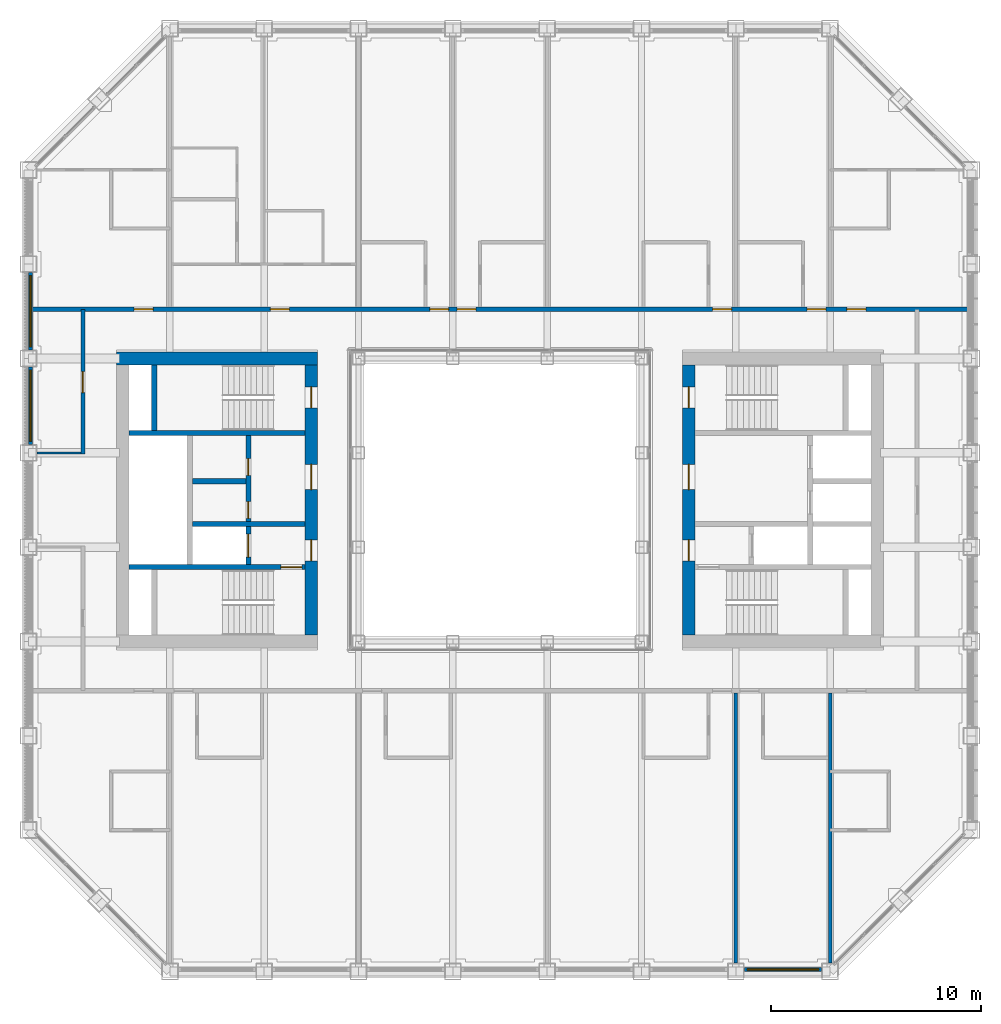
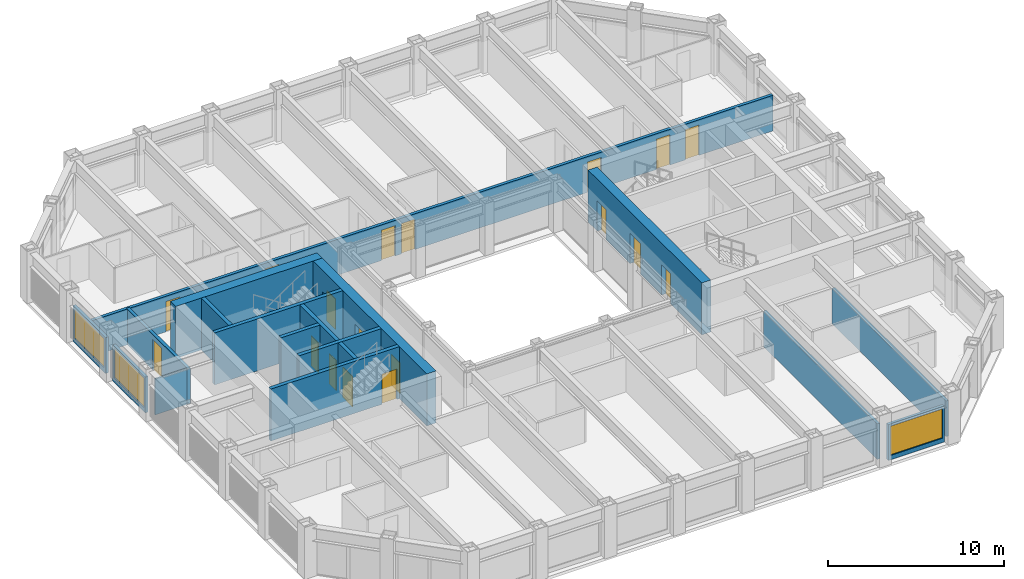
# One storey, part 11 of 17: 18 doors, 17 walls, 3 windows, 21 openings.
"""IFC4 building model written with IfcOpenShell, lengths in metres."""

from ifc_helpers import new_model, si_unit, direction, frame, frame_2d, origin, place, context, subcontext, project, spatial, rectangle, extrude, material, layer, layer_set, type_object, element, fill, save


model = new_model("IFC4")

# Units and contexts
model_context = context("Model", 3, precision=1e-05, world=origin(), true_north=direction((0.0, 1.0)))
body_context = subcontext(model_context, "Body", "Model", "MODEL_VIEW")
ifc_project = project(units=[si_unit("LENGTHUNIT", "METRE"), si_unit("AREAUNIT", "SQUARE_METRE"), si_unit("VOLUMEUNIT", "CUBIC_METRE"), si_unit("PLANEANGLEUNIT", "RADIAN"), si_unit("MASSUNIT", "GRAM", prefix="KILO")], contexts=[model_context])

# Site, building, storey
site_placement = place(None, origin())
site = spatial("IfcSite", under=ifc_project, at=site_placement, CompositionType="ELEMENT")
building_placement = place(site_placement, origin())
building = spatial("IfcBuilding", under=site, at=building_placement, Name="Msasa Ring Tower", CompositionType="ELEMENT")
storey_placement = place(building_placement, frame((0.0, 0.0, 179.60009765625)))
storey = spatial("IfcBuildingStorey", under=building, at=storey_placement, Name="L47", CompositionType="ELEMENT", Elevation=179.60009765625)

# Wall, openings, doors
ifc_material_1 = material(Name="Concrete C60/75", Category="concrete")
ifc_layer_1 = layer(ifc_material_1, 0.60009765625)
ifc_layer_set_1 = layer_set([ifc_layer_1], Name="CW2 CORE WALL 600")
wall_type_1 = type_object("IfcWallType", Name="CW2 CORE WALL 600", PredefinedType="SHEAR", material=ifc_layer_set_1)
wall_1_placement = place(storey_placement, frame((9.0, -6.449951171875, 0.0), z_axis=(0.0, 0.0, 1.0), x_axis=(0.0, 1.0, 0.0)))
wall_1 = element("IfcWall", 1, at=wall_1_placement, inside=storey, type_object=wall_type_1, Name="E core wall W L47", PredefinedType="SHEAR", context=body_context, shape_type="SweptSolid", body=[
    extrude(rectangle(XDim=12.89990234375, YDim=0.60009765625, at=frame_2d((6.449951171875, 0.0))), origin(), (0.0, 0.0, 1.0), 3.599853515625),
])
opening_1_placement = place(wall_1_placement, frame((3.550048828125, 0.0, 0.0)))
opening_1 = element("IfcOpeningElement", 2, at=opening_1_placement, cuts=wall_1, Name="Opening HF-030", PredefinedType="OPENING", context=body_context, shape_type="SweptSolid", body=[
    extrude(rectangle(XDim=1.0, YDim=2.10009765625, at=frame_2d((0.5, 1.050048828125))), frame((0.0, 0.31005859375, 0.0), z_axis=(0.0, -1.0, 0.0), x_axis=(1.0, 0.0, 0.0)), (0.0, 0.0, 1.0), 0.6201171875),
])
opening_2_placement = place(wall_1_placement, frame((6.949951171875, 0.0, 0.0)))
opening_2 = element("IfcOpeningElement", 3, at=opening_2_placement, cuts=wall_1, Name="Opening HF-026", PredefinedType="OPENING", context=body_context, shape_type="SweptSolid", body=[
    extrude(rectangle(XDim=1.199951171875, YDim=2.10009765625, at=frame_2d((0.60009765625, 1.050048828125))), frame((0.0, 0.31005859375, 0.0), z_axis=(0.0, -1.0, 0.0), x_axis=(1.0, 0.0, 0.0)), (0.0, 0.0, 1.0), 0.6201171875),
])
opening_3_placement = place(wall_1_placement, frame((10.85009765625, 0.0, 0.0)))
opening_3 = element("IfcOpeningElement", 4, at=opening_3_placement, cuts=wall_1, Name="Opening HF-023", PredefinedType="OPENING", context=body_context, shape_type="SweptSolid", body=[
    extrude(rectangle(XDim=1.0, YDim=2.10009765625, at=frame_2d((0.5, 1.050048828125))), frame((0.0, 0.31005859375, 0.0), z_axis=(0.0, -1.0, 0.0), x_axis=(1.0, 0.0, 0.0)), (0.0, 0.0, 1.0), 0.6201171875),
])
ifc_material_2 = material(Name="Timber door leaf in a steel frame", Category="steel")
door_type_1 = type_object("IfcDoorType", Name="D4 LOBBY DOOR 1000x2100", OperationType="SINGLE_SWING_LEFT", PredefinedType="DOOR", material=ifc_material_2)
door_1_placement = place(opening_1_placement, origin())
door_1 = element("IfcDoor", 5, at=door_1_placement, inside=storey, type_object=door_type_1, Name="Door L47-EFFL", OperationType="SINGLE_SWING_LEFT", OverallHeight=2.10009765625, OverallWidth=1.0, PredefinedType="DOOR", context=body_context, shape_type="SweptSolid", body=[
    extrude(rectangle(XDim=1.0, YDim=2.10009765625, at=frame_2d((0.5, 1.050048828125))), frame((0.0, 0.02490234375, 0.0), z_axis=(0.0, -1.0, 0.0), x_axis=(1.0, 0.0, 0.0)), (0.0, 0.0, 1.0), 0.050048828125),
])
fill(opening_1, door_1)
ifc_material_3 = material(Name="Timber door leaf in a steel frame", Category="steel")
door_type_2 = type_object("IfcDoorType", Name="D5 WIDE LOBBY DOOR 1200x2100", OperationType="SINGLE_SWING_LEFT", PredefinedType="DOOR", material=ifc_material_3)
door_2_placement = place(opening_2_placement, origin())
door_2 = element("IfcDoor", 6, at=door_2_placement, inside=storey, type_object=door_type_2, Name="Door L47-ELL", OperationType="SINGLE_SWING_RIGHT", OverallHeight=2.10009765625, OverallWidth=1.199951171875, PredefinedType="DOOR", context=body_context, shape_type="SweptSolid", body=[
    extrude(rectangle(XDim=1.199951171875, YDim=2.10009765625, at=frame_2d((0.60009765625, 1.050048828125))), frame((0.0, 0.02490234375, 0.0), z_axis=(0.0, -1.0, 0.0), x_axis=(1.0, 0.0, 0.0)), (0.0, 0.0, 1.0), 0.050048828125),
])
fill(opening_2, door_2)
ifc_material_4 = material(Name="Timber door leaf in a steel frame", Category="steel")
door_type_3 = type_object("IfcDoorType", Name="D6 STAIR DOOR 1000x2100", OperationType="SINGLE_SWING_LEFT", PredefinedType="DOOR", material=ifc_material_4)
door_3_placement = place(opening_3_placement, origin())
door_3 = element("IfcDoor", 7, at=door_3_placement, inside=storey, type_object=door_type_3, Name="Door L47-ESTB", OperationType="SINGLE_SWING_RIGHT", OverallHeight=2.10009765625, OverallWidth=1.0, PredefinedType="DOOR", context=body_context, shape_type="SweptSolid", body=[
    extrude(rectangle(XDim=1.0, YDim=2.10009765625, at=frame_2d((0.5, 1.050048828125))), frame((0.0, 0.02490234375, 0.0), z_axis=(0.0, -1.0, 0.0), x_axis=(1.0, 0.0, 0.0)), (0.0, 0.0, 1.0), 0.050048828125),
])
fill(opening_3, door_3)

# Wall
wall_2_placement = place(storey_placement, frame((-8.699951171875, 6.75, 0.0), z_axis=(0.0, 0.0, 1.0), x_axis=(-1.0, 0.0, 0.0)))
element("IfcWall", 8, at=wall_2_placement, inside=storey, type_object=wall_type_1, Name="W core wall N L47", PredefinedType="SHEAR", context=body_context, shape_type="SweptSolid", body=[
    extrude(rectangle(XDim=9.60009765625, YDim=0.60009765625, at=frame_2d((4.800048828125, 0.0))), origin(), (0.0, 0.0, 1.0), 3.599853515625),
])

# Wall, openings, doors
wall_3_placement = place(storey_placement, frame((-9.0, -6.449951171875, 0.0), z_axis=(0.0, 0.0, 1.0), x_axis=(0.0, 1.0, 0.0)))
wall_3 = element("IfcWall", 9, at=wall_3_placement, inside=storey, type_object=wall_type_1, Name="W core wall W L47", PredefinedType="SHEAR", context=body_context, shape_type="SweptSolid", body=[
    extrude(rectangle(XDim=12.89990234375, YDim=0.60009765625, at=frame_2d((6.449951171875, 0.0))), origin(), (0.0, 0.0, 1.0), 3.599853515625),
])
opening_4_placement = place(wall_3_placement, frame((3.550048828125, 0.0, 0.0)))
opening_4 = element("IfcOpeningElement", 10, at=opening_4_placement, cuts=wall_3, Name="Opening HF-029", PredefinedType="OPENING", context=body_context, shape_type="SweptSolid", body=[
    extrude(rectangle(XDim=1.0, YDim=2.10009765625, at=frame_2d((0.5, 1.050048828125))), frame((0.0, 0.31005859375, 0.0), z_axis=(0.0, -1.0, 0.0), x_axis=(1.0, 0.0, 0.0)), (0.0, 0.0, 1.0), 0.6201171875),
])
opening_5_placement = place(wall_3_placement, frame((6.949951171875, 0.0, 0.0)))
opening_5 = element("IfcOpeningElement", 11, at=opening_5_placement, cuts=wall_3, Name="Opening HF-025", PredefinedType="OPENING", context=body_context, shape_type="SweptSolid", body=[
    extrude(rectangle(XDim=1.199951171875, YDim=2.10009765625, at=frame_2d((0.60009765625, 1.050048828125))), frame((0.0, 0.31005859375, 0.0), z_axis=(0.0, -1.0, 0.0), x_axis=(1.0, 0.0, 0.0)), (0.0, 0.0, 1.0), 0.6201171875),
])
opening_6_placement = place(wall_3_placement, frame((10.85009765625, 0.0, 0.0)))
opening_6 = element("IfcOpeningElement", 12, at=opening_6_placement, cuts=wall_3, Name="Opening HF-022", PredefinedType="OPENING", context=body_context, shape_type="SweptSolid", body=[
    extrude(rectangle(XDim=1.0, YDim=2.10009765625, at=frame_2d((0.5, 1.050048828125))), frame((0.0, 0.31005859375, 0.0), z_axis=(0.0, -1.0, 0.0), x_axis=(1.0, 0.0, 0.0)), (0.0, 0.0, 1.0), 0.6201171875),
])
door_4_placement = place(opening_4_placement, origin())
door_4 = element("IfcDoor", 13, at=door_4_placement, inside=storey, type_object=door_type_1, Name="Door L47-WFFL", OperationType="SINGLE_SWING_LEFT", OverallHeight=2.10009765625, OverallWidth=1.0, PredefinedType="DOOR", context=body_context, shape_type="SweptSolid", body=[
    extrude(rectangle(XDim=1.0, YDim=2.10009765625, at=frame_2d((0.5, 1.050048828125))), frame((0.0, 0.02490234375, 0.0), z_axis=(0.0, -1.0, 0.0), x_axis=(1.0, 0.0, 0.0)), (0.0, 0.0, 1.0), 0.050048828125),
])
fill(opening_4, door_4)
door_5_placement = place(opening_5_placement, origin())
door_5 = element("IfcDoor", 14, at=door_5_placement, inside=storey, type_object=door_type_2, Name="Door L47-WLL", OperationType="SINGLE_SWING_RIGHT", OverallHeight=2.10009765625, OverallWidth=1.199951171875, PredefinedType="DOOR", context=body_context, shape_type="SweptSolid", body=[
    extrude(rectangle(XDim=1.199951171875, YDim=2.10009765625, at=frame_2d((0.60009765625, 1.050048828125))), frame((0.0, 0.02490234375, 0.0), z_axis=(0.0, -1.0, 0.0), x_axis=(1.0, 0.0, 0.0)), (0.0, 0.0, 1.0), 0.050048828125),
])
fill(opening_5, door_5)
door_6_placement = place(opening_6_placement, origin())
door_6 = element("IfcDoor", 15, at=door_6_placement, inside=storey, type_object=door_type_3, Name="Door L47-WSTB", OperationType="SINGLE_SWING_RIGHT", OverallHeight=2.10009765625, OverallWidth=1.0, PredefinedType="DOOR", context=body_context, shape_type="SweptSolid", body=[
    extrude(rectangle(XDim=1.0, YDim=2.10009765625, at=frame_2d((0.5, 1.050048828125))), frame((0.0, 0.02490234375, 0.0), z_axis=(0.0, -1.0, 0.0), x_axis=(1.0, 0.0, 0.0)), (0.0, 0.0, 1.0), 0.050048828125),
])
fill(opening_6, door_6)

# Wall, opening, door
ifc_material_5 = material(Name="Concrete C60/75", Category="concrete")
ifc_layer_2 = layer(ifc_material_5, 0.25)
ifc_layer_set_2 = layer_set([ifc_layer_2], Name="CW4 CORE INNER WALL 250")
wall_type_2 = type_object("IfcWallType", Name="CW4 CORE INNER WALL 250", PredefinedType="SHEAR", material=ifc_layer_set_2)
wall_4_placement = place(storey_placement, frame((-9.300048828125, -3.199951171875, 0.0), z_axis=(0.0, 0.0, 1.0), x_axis=(-1.0, 0.0, 0.0)))
wall_4 = element("IfcWall", 16, at=wall_4_placement, inside=storey, type_object=wall_type_2, Name="W core wall STAIRA L47", PredefinedType="SHEAR", context=body_context, shape_type="SweptSolid", body=[
    extrude(rectangle(XDim=8.39990234375, YDim=0.25, at=frame_2d((4.199951171875, 0.0))), origin(), (0.0, 0.0, 1.0), 3.599853515625),
])
opening_7_placement = place(wall_4_placement, frame((0.14990234375, 0.0, 0.0)))
opening_7 = element("IfcOpeningElement", 17, at=opening_7_placement, cuts=wall_4, Name="Opening HF-031", PredefinedType="OPENING", context=body_context, shape_type="SweptSolid", body=[
    extrude(rectangle(XDim=1.0, YDim=2.10009765625, at=frame_2d((0.5, 1.050048828125))), frame((0.0, 0.135009765625, 0.0), z_axis=(0.0, -1.0, 0.0), x_axis=(1.0, 0.0, 0.0)), (0.0, 0.0, 1.0), 0.27001953125),
])
door_7_placement = place(opening_7_placement, origin())
door_7 = element("IfcDoor", 18, at=door_7_placement, inside=storey, type_object=door_type_3, Name="Door L47-WSTA", OperationType="SINGLE_SWING_LEFT", OverallHeight=2.10009765625, OverallWidth=1.0, PredefinedType="DOOR", context=body_context, shape_type="SweptSolid", body=[
    extrude(rectangle(XDim=1.0, YDim=2.10009765625, at=frame_2d((0.5, 1.050048828125))), frame((0.0, 0.02490234375, 0.0), z_axis=(0.0, -1.0, 0.0), x_axis=(1.0, 0.0, 0.0)), (0.0, 0.0, 1.0), 0.050048828125),
])
fill(opening_7, door_7)

# Walls
wall_5_placement = place(storey_placement, frame((-9.300048828125, 3.199951171875, 0.0), z_axis=(0.0, 0.0, 1.0), x_axis=(-1.0, 0.0, 0.0)))
element("IfcWall", 19, at=wall_5_placement, inside=storey, type_object=wall_type_2, Name="W core wall STAIRB L47", PredefinedType="SHEAR", context=body_context, shape_type="SweptSolid", body=[
    extrude(rectangle(XDim=8.39990234375, YDim=0.25, at=frame_2d((4.199951171875, 0.0))), origin(), (0.0, 0.0, 1.0), 3.599853515625),
])
wall_6_placement = place(storey_placement, frame((-16.5, 3.324951171875, 0.0), z_axis=(0.0, 0.0, 1.0), x_axis=(0.0, 1.0, 0.0)))
element("IfcWall", 20, at=wall_6_placement, inside=storey, type_object=wall_type_2, Name="W core wall RISERB L47", PredefinedType="SHEAR", context=body_context, shape_type="SweptSolid", body=[
    extrude(rectangle(XDim=3.125, YDim=0.25, at=frame_2d((1.5625, 0.0))), origin(), (0.0, 0.0, 1.0), 3.599853515625),
])
wall_7_placement = place(storey_placement, frame((-9.300048828125, -1.14990234375, 0.0), z_axis=(0.0, 0.0, 1.0), x_axis=(-1.0, 0.0, 0.0)))
element("IfcWall", 21, at=wall_7_placement, inside=storey, type_object=wall_type_2, Name="W core wall FFL L47", PredefinedType="SHEAR", context=body_context, shape_type="SweptSolid", body=[
    extrude(rectangle(XDim=5.375, YDim=0.25, at=frame_2d((2.6875, 0.0))), origin(), (0.0, 0.0, 1.0), 3.599853515625),
])

# Wall, openings, doors
wall_8_placement = place(storey_placement, frame((-12.0, -3.074951171875, 0.0), z_axis=(0.0, 0.0, 1.0), x_axis=(0.0, 1.0, 0.0)))
wall_8 = element("IfcWall", 22, at=wall_8_placement, inside=storey, type_object=wall_type_2, Name="W core wall LOBBY L47", PredefinedType="SHEAR", context=body_context, shape_type="SweptSolid", body=[
    extrude(rectangle(XDim=6.14990234375, YDim=0.25, at=frame_2d((3.074951171875, 0.0))), origin(), (0.0, 0.0, 1.0), 3.599853515625),
])
opening_8_placement = place(wall_8_placement, frame((2.199951171875, 0.0, 0.0)))
opening_8 = element("IfcOpeningElement", 23, at=opening_8_placement, cuts=wall_8, Name="Opening HF-028", PredefinedType="OPENING", context=body_context, shape_type="SweptSolid", body=[
    extrude(rectangle(XDim=0.800048828125, YDim=2.10009765625, at=frame_2d((0.39990234375, 1.050048828125))), frame((0.0, 0.135009765625, 0.0), z_axis=(0.0, -1.0, 0.0), x_axis=(1.0, 0.0, 0.0)), (0.0, 0.0, 1.0), 0.27001953125),
])
opening_9_placement = place(wall_8_placement, frame((4.25, 0.0, 0.0)))
opening_9 = element("IfcOpeningElement", 24, at=opening_9_placement, cuts=wall_8, Name="Opening HF-024", PredefinedType="OPENING", context=body_context, shape_type="SweptSolid", body=[
    extrude(rectangle(XDim=0.800048828125, YDim=2.10009765625, at=frame_2d((0.39990234375, 1.050048828125))), frame((0.0, 0.135009765625, 0.0), z_axis=(0.0, -1.0, 0.0), x_axis=(1.0, 0.0, 0.0)), (0.0, 0.0, 1.0), 0.27001953125),
])
opening_10_placement = place(wall_8_placement, frame((0.35009765625, 0.0, 0.0)))
opening_10 = element("IfcOpeningElement", 25, at=opening_10_placement, cuts=wall_8, Name="Opening LD1", PredefinedType="OPENING", context=body_context, shape_type="SweptSolid", body=[
    extrude(rectangle(XDim=1.10009765625, YDim=2.10009765625, at=frame_2d((0.550048828125, 1.050048828125))), frame((0.0, 0.135009765625, 0.0), z_axis=(0.0, -1.0, 0.0), x_axis=(1.0, 0.0, 0.0)), (0.0, 0.0, 1.0), 0.27001953125),
])
ifc_material_6 = material(Name="Timber door leaf in a steel frame", Category="steel")
door_type_4 = type_object("IfcDoorType", Name="D9 NARROW SERVICE DOOR 800x2100", OperationType="SINGLE_SWING_LEFT", PredefinedType="DOOR", material=ifc_material_6)
door_8_placement = place(opening_8_placement, origin())
door_8 = element("IfcDoor", 26, at=door_8_placement, inside=storey, type_object=door_type_4, Name="Door L47-WR1", OperationType="SINGLE_SWING_LEFT", OverallHeight=2.10009765625, OverallWidth=0.800048828125, PredefinedType="DOOR", context=body_context, shape_type="SweptSolid", body=[
    extrude(rectangle(XDim=0.800048828125, YDim=2.10009765625, at=frame_2d((0.39990234375, 1.050048828125))), frame((0.0, 0.02490234375, 0.0), z_axis=(0.0, -1.0, 0.0), x_axis=(1.0, 0.0, 0.0)), (0.0, 0.0, 1.0), 0.050048828125),
])
fill(opening_8, door_8)
door_9_placement = place(opening_9_placement, origin())
door_9 = element("IfcDoor", 27, at=door_9_placement, inside=storey, type_object=door_type_4, Name="Door L47-WR2", OperationType="SINGLE_SWING_RIGHT", OverallHeight=2.10009765625, OverallWidth=0.800048828125, PredefinedType="DOOR", context=body_context, shape_type="SweptSolid", body=[
    extrude(rectangle(XDim=0.800048828125, YDim=2.10009765625, at=frame_2d((0.39990234375, 1.050048828125))), frame((0.0, 0.02490234375, 0.0), z_axis=(0.0, -1.0, 0.0), x_axis=(1.0, 0.0, 0.0)), (0.0, 0.0, 1.0), 0.050048828125),
])
fill(opening_9, door_9)
ifc_material_7 = material(Name="Stainless steel lift landing door", Category="steel")
door_type_5 = type_object("IfcDoorType", Name="LD1 LIFT LANDING DOOR 1100x2100", OperationType="DOUBLE_DOOR_SLIDING", PredefinedType="DOOR", material=ifc_material_7)
door_10_placement = place(opening_10_placement, origin())
door_10 = element("IfcDoor", 28, at=door_10_placement, inside=storey, type_object=door_type_5, Name="Lift landing door FL-W L47", OperationType="DOUBLE_DOOR_SLIDING", OverallHeight=2.10009765625, OverallWidth=1.10009765625, PredefinedType="DOOR", context=body_context, shape_type="SweptSolid", body=[
    extrude(rectangle(XDim=1.10009765625, YDim=2.10009765625, at=frame_2d((0.550048828125, 1.050048828125))), frame((0.0, 0.02490234375, 0.0), z_axis=(0.0, -1.0, 0.0), x_axis=(1.0, 0.0, 0.0)), (0.0, 0.0, 1.0), 0.050048828125),
])
fill(opening_10, door_10)

# Wall
wall_9_placement = place(storey_placement, frame((-12.125, 0.89990234375, 0.0), z_axis=(0.0, 0.0, 1.0), x_axis=(-1.0, 0.0, 0.0)))
element("IfcWall", 29, at=wall_9_placement, inside=storey, type_object=wall_type_2, Name="W core wall LIFT1 L47", PredefinedType="SHEAR", context=body_context, shape_type="SweptSolid", body=[
    extrude(rectangle(XDim=2.550048828125, YDim=0.25, at=frame_2d((1.27490234375, 0.0))), origin(), (0.0, 0.0, 1.0), 3.599853515625),
])

# Wall, opening, window
ifc_material_8 = material(Name="Terracotta rainscreen on blockwork", Category="masonry")
ifc_layer_3 = layer(ifc_material_8, 0.199951171875)
ifc_layer_set_3 = layer_set([ifc_layer_3], Name="FW1 TERRACOTTA-LINED INFILL BAY WALL 200")
wall_type_3 = type_object("IfcWallType", Name="FW1 TERRACOTTA-LINED INFILL BAY WALL 200", PredefinedType="SOLIDWALL", material=ifc_layer_set_3)
wall_10_placement = place(storey_placement, frame((11.655029296875, -22.39990234375, 0.0), z_axis=(0.0, 0.0, 1.0), x_axis=(1.0, 0.0, 0.0)))
wall_10 = element("IfcWall", 30, at=wall_10_placement, inside=storey, type_object=wall_type_3, Name="Infill bay wall S L47 06", PredefinedType="SOLIDWALL", context=body_context, shape_type="SweptSolid", body=[
    extrude(rectangle(XDim=3.68994140625, YDim=0.199951171875, at=frame_2d((1.844970703125, 0.0))), origin(), (0.0, 0.0, 1.0), 2.47900390625),
])
opening_11_placement = place(wall_10_placement, frame((0.14501953125, 0.0, 0.300048828125)))
opening_11 = element("IfcOpeningElement", 31, at=opening_11_placement, cuts=wall_10, Name="Opening WN2", PredefinedType="OPENING", context=body_context, shape_type="SweptSolid", body=[
    extrude(rectangle(XDim=3.39990234375, YDim=2.029052734375, at=frame_2d((1.699951171875, 1.0146484375))), frame((0.0, 0.10986328125, 0.0), z_axis=(0.0, -1.0, 0.0), x_axis=(1.0, 0.0, 0.0)), (0.0, 0.0, 1.0), 0.219970703125),
])
ifc_material_9 = material(Name="Aluminium frame with clear glass", Category="aluminium")
window_type = type_object("IfcWindowType", Name="WN2 GUEST ROOM WINDOW 3400x2029", PartitioningType="SINGLE_PANEL", PredefinedType="WINDOW", material=ifc_material_9)
window_1_placement = place(opening_11_placement, origin())
window_1 = element("IfcWindow", 32, at=window_1_placement, inside=storey, type_object=window_type, Name="Window S L47 06", OverallHeight=2.029052734375, OverallWidth=3.39990234375, PartitioningType="SINGLE_PANEL", PredefinedType="WINDOW", context=body_context, shape_type="SweptSolid", body=[
    extrude(rectangle(XDim=3.39990234375, YDim=2.029052734375, at=frame_2d((1.699951171875, 1.0146484375))), frame((0.0, 0.030029296875, 0.0), z_axis=(0.0, -1.0, 0.0), x_axis=(1.0, 0.0, 0.0)), (0.0, 0.0, 1.0), 0.06005859375),
])
fill(opening_11, window_1)

wall_11_placement = place(storey_placement, frame((-22.39990234375, 2.655029296875, 0.0), z_axis=(0.0, 0.0, 1.0), x_axis=(0.0, 1.0, 0.0)))
wall_11 = element("IfcWall", 33, at=wall_11_placement, inside=storey, type_object=wall_type_3, Name="Infill bay wall W L47 31", PredefinedType="SOLIDWALL", context=body_context, shape_type="SweptSolid", body=[
    extrude(rectangle(XDim=3.68994140625, YDim=0.199951171875, at=frame_2d((1.844970703125, 0.0))), origin(), (0.0, 0.0, 1.0), 2.47900390625),
])
opening_12_placement = place(wall_11_placement, frame((0.14501953125, 0.0, 0.300048828125)))
opening_12 = element("IfcOpeningElement", 34, at=opening_12_placement, cuts=wall_11, Name="Opening WN2", PredefinedType="OPENING", context=body_context, shape_type="SweptSolid", body=[
    extrude(rectangle(XDim=3.39990234375, YDim=2.029052734375, at=frame_2d((1.699951171875, 1.0146484375))), frame((0.0, 0.10986328125, 0.0), z_axis=(0.0, -1.0, 0.0), x_axis=(1.0, 0.0, 0.0)), (0.0, 0.0, 1.0), 0.219970703125),
])
window_2_placement = place(opening_12_placement, origin())
window_2 = element("IfcWindow", 35, at=window_2_placement, inside=storey, type_object=window_type, Name="Window W L47 31", OverallHeight=2.029052734375, OverallWidth=3.39990234375, PartitioningType="SINGLE_PANEL", PredefinedType="WINDOW", context=body_context, shape_type="SweptSolid", body=[
    extrude(rectangle(XDim=3.39990234375, YDim=2.029052734375, at=frame_2d((1.699951171875, 1.0146484375))), frame((0.0, 0.030029296875, 0.0), z_axis=(0.0, -1.0, 0.0), x_axis=(1.0, 0.0, 0.0)), (0.0, 0.0, 1.0), 0.06005859375),
])
fill(opening_12, window_2)

wall_12_placement = place(storey_placement, frame((-22.39990234375, 7.155029296875, 0.0), z_axis=(0.0, 0.0, 1.0), x_axis=(0.0, 1.0, 0.0)))
wall_12 = element("IfcWall", 36, at=wall_12_placement, inside=storey, type_object=wall_type_3, Name="Infill bay wall W L47 32", PredefinedType="SOLIDWALL", context=body_context, shape_type="SweptSolid", body=[
    extrude(rectangle(XDim=3.68994140625, YDim=0.199951171875, at=frame_2d((1.844970703125, 0.0))), origin(), (0.0, 0.0, 1.0), 2.47900390625),
])
opening_13_placement = place(wall_12_placement, frame((0.14501953125, 0.0, 0.300048828125)))
opening_13 = element("IfcOpeningElement", 37, at=opening_13_placement, cuts=wall_12, Name="Opening WN2", PredefinedType="OPENING", context=body_context, shape_type="SweptSolid", body=[
    extrude(rectangle(XDim=3.39990234375, YDim=2.029052734375, at=frame_2d((1.699951171875, 1.0146484375))), frame((0.0, 0.10986328125, 0.0), z_axis=(0.0, -1.0, 0.0), x_axis=(1.0, 0.0, 0.0)), (0.0, 0.0, 1.0), 0.219970703125),
])
window_3_placement = place(opening_13_placement, origin())
window_3 = element("IfcWindow", 38, at=window_3_placement, inside=storey, type_object=window_type, Name="Window W L47 32", OverallHeight=2.029052734375, OverallWidth=3.39990234375, PartitioningType="SINGLE_PANEL", PredefinedType="WINDOW", context=body_context, shape_type="SweptSolid", body=[
    extrude(rectangle(XDim=3.39990234375, YDim=2.029052734375, at=frame_2d((1.699951171875, 1.0146484375))), frame((0.0, 0.030029296875, 0.0), z_axis=(0.0, -1.0, 0.0), x_axis=(1.0, 0.0, 0.0)), (0.0, 0.0, 1.0), 0.06005859375),
])
fill(opening_13, window_3)

# Wall, openings, doors
ifc_material_10 = material(Name="Concrete blockwork", Category="masonry")
ifc_layer_4 = layer(ifc_material_10, 0.199951171875)
ifc_layer_set_4 = layer_set([ifc_layer_4], Name="PT1 CORRIDOR WALL 200")
wall_type_4 = type_object("IfcWallType", Name="PT1 CORRIDOR WALL 200", PredefinedType="PARTITIONING", material=ifc_layer_set_4)
wall_13_placement = place(storey_placement, frame((-22.300048828125, 9.10009765625, 0.0), z_axis=(0.0, 0.0, 1.0), x_axis=(1.0, 0.0, 0.0)))
wall_13 = element("IfcWall", 39, at=wall_13_placement, inside=storey, type_object=wall_type_4, Name="Corridor wall L47-CORRN0", PredefinedType="PARTITIONING", context=body_context, shape_type="SweptSolid", body=[
    extrude(rectangle(XDim=44.60009765625, YDim=0.199951171875, at=frame_2d((22.300048828125, 0.0))), origin(), (0.0, 0.0, 1.0), 2.473388671875),
])
opening_14_placement = place(wall_13_placement, frame((11.35009765625, 0.0, 0.0)))
opening_14 = element("IfcOpeningElement", 40, at=opening_14_placement, cuts=wall_13, Name="Opening HF-015", PredefinedType="OPENING", context=body_context, shape_type="SweptSolid", body=[
    extrude(rectangle(XDim=0.89990234375, YDim=2.10009765625, at=frame_2d((0.449951171875, 1.050048828125))), frame((0.0, 0.10986328125, 0.0), z_axis=(0.0, -1.0, 0.0), x_axis=(1.0, 0.0, 0.0)), (0.0, 0.0, 1.0), 0.219970703125),
])
opening_15_placement = place(wall_13_placement, frame((18.949951171875, 0.0, 0.0)))
opening_15 = element("IfcOpeningElement", 41, at=opening_15_placement, cuts=wall_13, Name="Opening HF-016", PredefinedType="OPENING", context=body_context, shape_type="SweptSolid", body=[
    extrude(rectangle(XDim=0.89990234375, YDim=2.10009765625, at=frame_2d((0.449951171875, 1.050048828125))), frame((0.0, 0.10986328125, 0.0), z_axis=(0.0, -1.0, 0.0), x_axis=(1.0, 0.0, 0.0)), (0.0, 0.0, 1.0), 0.219970703125),
])
opening_16_placement = place(wall_13_placement, frame((20.25, 0.0, 0.0)))
opening_16 = element("IfcOpeningElement", 42, at=opening_16_placement, cuts=wall_13, Name="Opening HF-017", PredefinedType="OPENING", context=body_context, shape_type="SweptSolid", body=[
    extrude(rectangle(XDim=0.89990234375, YDim=2.10009765625, at=frame_2d((0.449951171875, 1.050048828125))), frame((0.0, 0.10986328125, 0.0), z_axis=(0.0, -1.0, 0.0), x_axis=(1.0, 0.0, 0.0)), (0.0, 0.0, 1.0), 0.219970703125),
])
opening_17_placement = place(wall_13_placement, frame((32.449951171875, 0.0, 0.0)))
opening_17 = element("IfcOpeningElement", 43, at=opening_17_placement, cuts=wall_13, Name="Opening HF-018", PredefinedType="OPENING", context=body_context, shape_type="SweptSolid", body=[
    extrude(rectangle(XDim=0.89990234375, YDim=2.10009765625, at=frame_2d((0.449951171875, 1.050048828125))), frame((0.0, 0.10986328125, 0.0), z_axis=(0.0, -1.0, 0.0), x_axis=(1.0, 0.0, 0.0)), (0.0, 0.0, 1.0), 0.219970703125),
])
opening_18_placement = place(wall_13_placement, frame((36.949951171875, 0.0, 0.0)))
opening_18 = element("IfcOpeningElement", 44, at=opening_18_placement, cuts=wall_13, Name="Opening HF-019", PredefinedType="OPENING", context=body_context, shape_type="SweptSolid", body=[
    extrude(rectangle(XDim=0.89990234375, YDim=2.10009765625, at=frame_2d((0.449951171875, 1.050048828125))), frame((0.0, 0.10986328125, 0.0), z_axis=(0.0, -1.0, 0.0), x_axis=(1.0, 0.0, 0.0)), (0.0, 0.0, 1.0), 0.219970703125),
])
opening_19_placement = place(wall_13_placement, frame((38.85009765625, 0.0, 0.0)))
opening_19 = element("IfcOpeningElement", 45, at=opening_19_placement, cuts=wall_13, Name="Opening HF-020", PredefinedType="OPENING", context=body_context, shape_type="SweptSolid", body=[
    extrude(rectangle(XDim=0.89990234375, YDim=2.10009765625, at=frame_2d((0.449951171875, 1.050048828125))), frame((0.0, 0.10986328125, 0.0), z_axis=(0.0, -1.0, 0.0), x_axis=(1.0, 0.0, 0.0)), (0.0, 0.0, 1.0), 0.219970703125),
])
opening_20_placement = place(wall_13_placement, frame((4.85009765625, 0.0, 0.0)))
opening_20 = element("IfcOpeningElement", 46, at=opening_20_placement, cuts=wall_13, Name="Opening HF-014", PredefinedType="OPENING", context=body_context, shape_type="SweptSolid", body=[
    extrude(rectangle(XDim=0.89990234375, YDim=2.10009765625, at=frame_2d((0.449951171875, 1.050048828125))), frame((0.0, 0.10986328125, 0.0), z_axis=(0.0, -1.0, 0.0), x_axis=(1.0, 0.0, 0.0)), (0.0, 0.0, 1.0), 0.219970703125),
])
ifc_material_11 = material(Name="Timber door leaf in a steel frame", Category="steel")
door_type_6 = type_object("IfcDoorType", Name="D1 SINGLE DOOR TO CORRIDOR 900x2100", OperationType="SINGLE_SWING_LEFT", PredefinedType="DOOR", material=ifc_material_11)
door_11_placement = place(opening_15_placement, origin())
door_11 = element("IfcDoor", 47, at=door_11_placement, inside=storey, type_object=door_type_6, Name="Door L47-GN01", OperationType="SINGLE_SWING_LEFT", OverallHeight=2.10009765625, OverallWidth=0.89990234375, PredefinedType="DOOR", context=body_context, shape_type="SweptSolid", body=[
    extrude(rectangle(XDim=0.89990234375, YDim=2.10009765625, at=frame_2d((0.449951171875, 1.050048828125))), frame((0.0, 0.02490234375, 0.0), z_axis=(0.0, -1.0, 0.0), x_axis=(1.0, 0.0, 0.0)), (0.0, 0.0, 1.0), 0.050048828125),
])
fill(opening_15, door_11)
door_12_placement = place(opening_16_placement, origin())
door_12 = element("IfcDoor", 48, at=door_12_placement, inside=storey, type_object=door_type_6, Name="Door L47-GN02", OperationType="SINGLE_SWING_LEFT", OverallHeight=2.10009765625, OverallWidth=0.89990234375, PredefinedType="DOOR", context=body_context, shape_type="SweptSolid", body=[
    extrude(rectangle(XDim=0.89990234375, YDim=2.10009765625, at=frame_2d((0.449951171875, 1.050048828125))), frame((0.0, 0.02490234375, 0.0), z_axis=(0.0, -1.0, 0.0), x_axis=(1.0, 0.0, 0.0)), (0.0, 0.0, 1.0), 0.050048828125),
])
fill(opening_16, door_12)
door_13_placement = place(opening_17_placement, origin())
door_13 = element("IfcDoor", 49, at=door_13_placement, inside=storey, type_object=door_type_6, Name="Door L47-GN03", OperationType="SINGLE_SWING_RIGHT", OverallHeight=2.10009765625, OverallWidth=0.89990234375, PredefinedType="DOOR", context=body_context, shape_type="SweptSolid", body=[
    extrude(rectangle(XDim=0.89990234375, YDim=2.10009765625, at=frame_2d((0.449951171875, 1.050048828125))), frame((0.0, 0.02490234375, 0.0), z_axis=(0.0, -1.0, 0.0), x_axis=(1.0, 0.0, 0.0)), (0.0, 0.0, 1.0), 0.050048828125),
])
fill(opening_17, door_13)
door_14_placement = place(opening_18_placement, origin())
door_14 = element("IfcDoor", 50, at=door_14_placement, inside=storey, type_object=door_type_6, Name="Door L47-GN04", OperationType="SINGLE_SWING_RIGHT", OverallHeight=2.10009765625, OverallWidth=0.89990234375, PredefinedType="DOOR", context=body_context, shape_type="SweptSolid", body=[
    extrude(rectangle(XDim=0.89990234375, YDim=2.10009765625, at=frame_2d((0.449951171875, 1.050048828125))), frame((0.0, 0.02490234375, 0.0), z_axis=(0.0, -1.0, 0.0), x_axis=(1.0, 0.0, 0.0)), (0.0, 0.0, 1.0), 0.050048828125),
])
fill(opening_18, door_14)
ifc_material_12 = material(Name="Timber door leaf in a steel frame", Category="steel")
door_type_7 = type_object("IfcDoorType", Name="D2 ENTRANCE DOOR 900x2100", OperationType="SINGLE_SWING_LEFT", PredefinedType="DOOR", material=ifc_material_12)
door_15_placement = place(opening_14_placement, origin())
door_15 = element("IfcDoor", 51, at=door_15_placement, inside=storey, type_object=door_type_7, Name="Door L47-GN00", OperationType="SINGLE_SWING_LEFT", OverallHeight=2.10009765625, OverallWidth=0.89990234375, PredefinedType="DOOR", context=body_context, shape_type="SweptSolid", body=[
    extrude(rectangle(XDim=0.89990234375, YDim=2.10009765625, at=frame_2d((0.449951171875, 1.050048828125))), frame((0.0, 0.02490234375, 0.0), z_axis=(0.0, -1.0, 0.0), x_axis=(1.0, 0.0, 0.0)), (0.0, 0.0, 1.0), 0.050048828125),
])
fill(opening_14, door_15)
door_16_placement = place(opening_19_placement, origin())
door_16 = element("IfcDoor", 52, at=door_16_placement, inside=storey, type_object=door_type_7, Name="Door L47-CSNE", OperationType="SINGLE_SWING_RIGHT", OverallHeight=2.10009765625, OverallWidth=0.89990234375, PredefinedType="DOOR", context=body_context, shape_type="SweptSolid", body=[
    extrude(rectangle(XDim=0.89990234375, YDim=2.10009765625, at=frame_2d((0.449951171875, 1.050048828125))), frame((0.0, 0.02490234375, 0.0), z_axis=(0.0, -1.0, 0.0), x_axis=(1.0, 0.0, 0.0)), (0.0, 0.0, 1.0), 0.050048828125),
])
fill(opening_19, door_16)
door_17_placement = place(opening_20_placement, origin())
door_17 = element("IfcDoor", 53, at=door_17_placement, inside=storey, type_object=door_type_7, Name="Door L47-CSNW", OperationType="SINGLE_SWING_LEFT", OverallHeight=2.10009765625, OverallWidth=0.89990234375, PredefinedType="DOOR", context=body_context, shape_type="SweptSolid", body=[
    extrude(rectangle(XDim=0.89990234375, YDim=2.10009765625, at=frame_2d((0.449951171875, 1.050048828125))), frame((0.0, 0.02490234375, 0.0), z_axis=(0.0, -1.0, 0.0), x_axis=(1.0, 0.0, 0.0)), (0.0, 0.0, 1.0), 0.050048828125),
])
fill(opening_20, door_17)

# Wall, opening, door
wall_14_placement = place(storey_placement, frame((-19.89990234375, 2.199951171875, 0.0), z_axis=(0.0, 0.0, 1.0), x_axis=(0.0, 1.0, 0.0)))
wall_14 = element("IfcWall", 54, at=wall_14_placement, inside=storey, type_object=wall_type_4, Name="Corridor wall L47-STRWN", PredefinedType="PARTITIONING", context=body_context, shape_type="SweptSolid", body=[
    extrude(rectangle(XDim=6.900146484375, YDim=0.199951171875, at=frame_2d((3.4501953125, 0.0))), origin(), (0.0, 0.0, 1.0), 2.473388671875),
])
opening_21_placement = place(wall_14_placement, frame((2.925048828125, 0.0, 0.0)))
opening_21 = element("IfcOpeningElement", 55, at=opening_21_placement, cuts=wall_14, Name="Opening HF-021", PredefinedType="OPENING", context=body_context, shape_type="SweptSolid", body=[
    extrude(rectangle(XDim=1.0, YDim=2.10009765625, at=frame_2d((0.5, 1.050048828125))), frame((0.0, 0.10986328125, 0.0), z_axis=(0.0, -1.0, 0.0), x_axis=(1.0, 0.0, 0.0)), (0.0, 0.0, 1.0), 0.219970703125),
])
ifc_material_13 = material(Name="Timber door leaf in a steel frame", Category="steel")
door_type_8 = type_object("IfcDoorType", Name="D10 STORE DOOR 1000x2100", OperationType="SINGLE_SWING_LEFT", PredefinedType="DOOR", material=ifc_material_13)
door_18_placement = place(opening_21_placement, origin())
door_18 = element("IfcDoor", 56, at=door_18_placement, inside=storey, type_object=door_type_8, Name="Door L47-LGW", OperationType="SINGLE_SWING_LEFT", OverallHeight=2.10009765625, OverallWidth=1.0, PredefinedType="DOOR", context=body_context, shape_type="SweptSolid", body=[
    extrude(rectangle(XDim=1.0, YDim=2.10009765625, at=frame_2d((0.5, 1.050048828125))), frame((0.0, 0.02490234375, 0.0), z_axis=(0.0, -1.0, 0.0), x_axis=(1.0, 0.0, 0.0)), (0.0, 0.0, 1.0), 0.050048828125),
])
fill(opening_21, door_18)

# Walls
ifc_material_14 = material(Name="Gypsum board on steel studs", Category="steel")
ifc_layer_5 = layer(ifc_material_14, 0.10009765625)
ifc_layer_set_5 = layer_set([ifc_layer_5], Name="PT2 STUD PARTITION 100")
wall_type_5 = type_object("IfcWallType", Name="PT2 STUD PARTITION 100", PredefinedType="PARTITIONING", material=ifc_layer_set_5)
wall_15_placement = place(storey_placement, frame((-22.10009765625, 2.25, 0.0), z_axis=(0.0, 0.0, 1.0), x_axis=(1.0, 0.0, 0.0)))
element("IfcWall", 57, at=wall_15_placement, inside=storey, type_object=wall_type_5, Name="Partition L47-ALWN", PredefinedType="PARTITIONING", context=body_context, shape_type="SweptSolid", body=[
    extrude(rectangle(XDim=2.10009765625, YDim=0.10009765625, at=frame_2d((1.050048828125, 0.0))), origin(), (0.0, 0.0, 1.0), 2.473388671875),
])
ifc_material_15 = material(Name="Twin steel studs, two layers of acoustic board each face, mineral wool", Category="steel")
ifc_layer_6 = layer(ifc_material_15, 0.175048828125)
ifc_layer_set_6 = layer_set([ifc_layer_6], Name="PT5 GUEST ROOM SEPARATING WALL 175")
wall_type_6 = type_object("IfcWallType", Name="PT5 GUEST ROOM SEPARATING WALL 175", PredefinedType="PARTITIONING", material=ifc_layer_set_6)
for number, where, z_axis, x_axis, name in (
    (58, (11.25, -22.10009765625, 0.0), (0.0, 0.0, 1.0), (0.0, 1.0, 0.0), "Partition L47-PWS+11.25"),
    (59, (15.75, -22.10009765625, 0.0), (0.0, 0.0, 1.0), (0.0, 1.0, 0.0), "Partition L47-PWS+15.75"),
):
    element("IfcWall", number, at=place(storey_placement, frame(where, z_axis=z_axis, x_axis=x_axis)), inside=storey, type_object=wall_type_6, Name=name, PredefinedType="PARTITIONING", context=body_context, shape_type="SweptSolid", body=[
        extrude(rectangle(XDim=12.900146484375, YDim=0.175048828125, at=frame_2d((6.4501953125, 0.0))), origin(), (0.0, 0.0, 1.0), 2.473388671875),
    ])

save(model, "model.ifc")
